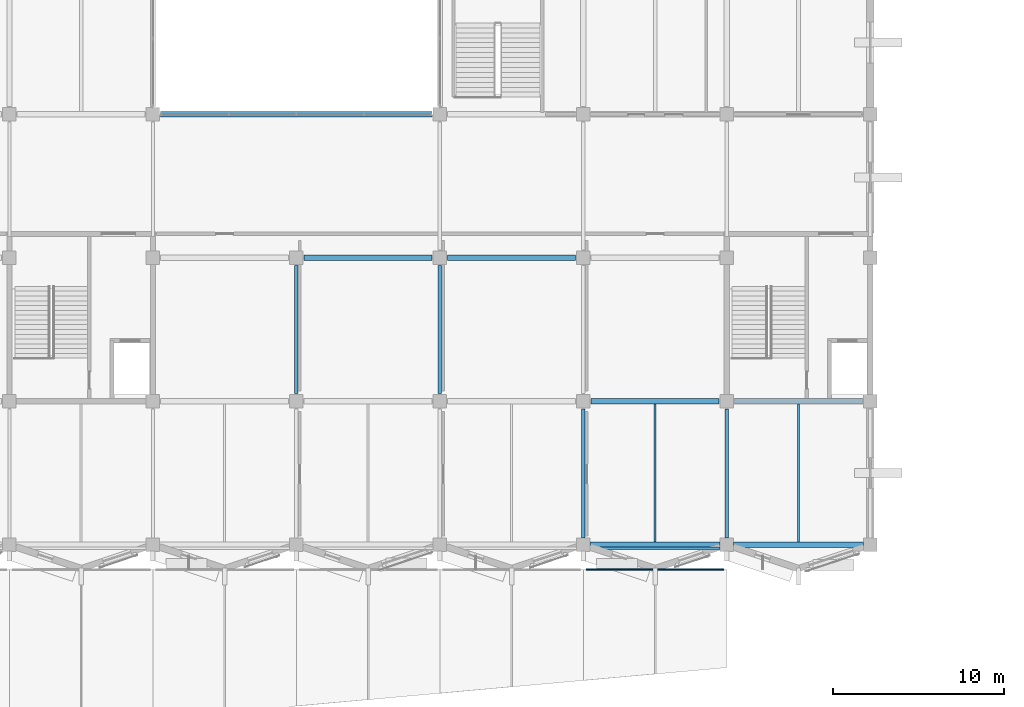
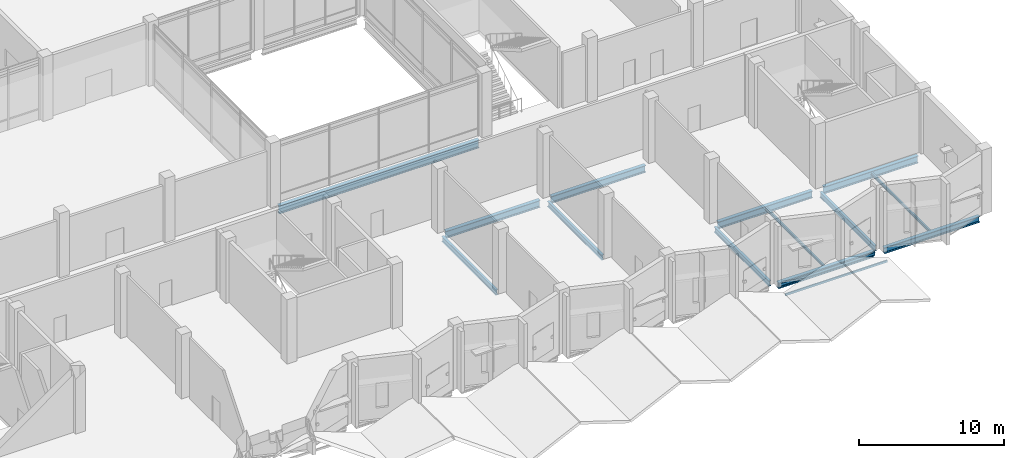
# One storey, part 21 of 72: 14 beams, 1 member.
"""IFC4 building model written with IfcOpenShell, lengths in metres."""

from ifc_helpers import new_model, si_unit, direction, frame, origin, origin_2d, place, context, subcontext, project, spatial, hollow_rectangle, i_section, extrude, material, material_profile, profile_set, type_object, element, save


model = new_model("IFC4")

# Units and contexts
model_context = context("Model", 3, precision=1e-05, world=origin(), true_north=direction((0.0, 1.0)))
body_context = subcontext(model_context, "Body", "Model", "MODEL_VIEW")
ifc_project = project(units=[si_unit("LENGTHUNIT", "METRE"), si_unit("AREAUNIT", "SQUARE_METRE"), si_unit("VOLUMEUNIT", "CUBIC_METRE"), si_unit("PLANEANGLEUNIT", "RADIAN"), si_unit("MASSUNIT", "GRAM", prefix="KILO")], contexts=[model_context])

# Site, building, storey
site_placement = place(None, origin())
site = spatial("IfcSite", under=ifc_project, at=site_placement, CompositionType="ELEMENT")
building_placement = place(site_placement, origin())
building = spatial("IfcBuilding", under=site, at=building_placement, Name="Qawsi Khor Wholesale Market", CompositionType="ELEMENT")
storey_placement = place(building_placement, frame((0.0, 0.0, 6.0)))
storey = spatial("IfcBuildingStorey", under=building, at=storey_placement, Name="L01", CompositionType="ELEMENT", Elevation=6.0)

# Beam
ifc_material = material(Name="Steel S355", Category="steel")
ifc_material_profile_1 = material_profile(ifc_material, i_section(OverallWidth=0.135009765625, OverallDepth=0.27001953125, WebThickness=0.006591796875, FlangeThickness=0.01025390625, FilletRadius=0.014892578125, at=origin_2d()), Name="IPE 270")
ifc_profile_set_1 = profile_set([ifc_material_profile_1], Name="Steel S355")
beam_type_1 = type_object("IfcBeamType", Name="Canopy Beam IPE 270", PredefinedType="BEAM", material=ifc_profile_set_1)
beam_1_placement = place(storey_placement, frame((176.800048828125, -0.199951171875, -0.419921875), z_axis=(1.0, 0.0, 0.0), x_axis=(0.0, 1.0, 0.0)))
element("IfcBeam", 1, at=beam_1_placement, inside=storey, type_object=beam_type_1, Name="Canopy tie beam 21", PredefinedType="BEAM", context=body_context, shape_type="SweptSolid", body=[
    extrude(i_section(OverallWidth=0.135009765625, OverallDepth=0.27001953125, WebThickness=0.006591796875, FlangeThickness=0.01025390625, FilletRadius=0.014892578125, at=origin_2d()), origin(), (0.0, 0.0, 1.0), 7.599853515625),
])

# Member
ifc_material_profile_2 = material_profile(ifc_material, hollow_rectangle(XDim=0.10009765625, YDim=0.179931640625, WallThickness=0.008056640625, InnerFilletRadius=0.008056640625, OuterFilletRadius=0.01611328125, at=origin_2d()), Name="RHS 180x100x8.0")
ifc_profile_set_2 = profile_set([ifc_material_profile_2], Name="Steel S355")
member_type = type_object("IfcMemberType", Name="Canopy Sub-Purlin RHS 180x100x8.0", PredefinedType="PURLIN", material=ifc_profile_set_2)
member_placement = place(storey_placement, frame((176.550048828125, -1.449951171875, -0.3798828125), z_axis=(1.0, 0.0, 0.0), x_axis=(0.0, 1.0, 0.0)))
element("IfcMember", 2, at=member_placement, inside=storey, type_object=member_type, Name="Canopy valley sub-purlin 21", PredefinedType="PURLIN", context=body_context, shape_type="SweptSolid", body=[
    extrude(hollow_rectangle(XDim=0.10009765625, YDim=0.179931640625, WallThickness=0.008056640625, InnerFilletRadius=0.008056640625, OuterFilletRadius=0.01611328125, at=origin_2d()), origin(), (0.0, 0.0, 1.0), 8.099853515625),
])

# Beams
ifc_material_profile_3 = material_profile(ifc_material, i_section(OverallWidth=0.1201171875, OverallDepth=0.239990234375, WebThickness=0.006103515625, FlangeThickness=0.009765625, FilletRadius=0.014892578125, at=origin_2d()), Name="IPE 240")
ifc_profile_set_3 = profile_set([ifc_material_profile_3], Name="Steel S355")
beam_type_2 = type_object("IfcBeamType", Name="Floor Joist IPE 240", PredefinedType="JOIST", material=ifc_profile_set_3)
for number, where, z_axis, x_axis, name in (
    (3, (180.60009765625, 0.14990234375, -0.39990234375), (0.0, 1.0, 0.0), (-1.0, 0.0, 0.0), "JST-S-L01-21"),
    (4, (189.0, 0.14990234375, -0.39990234375), (0.0, 1.0, 0.0), (-1.0, 0.0, 0.0), "JST-S-L01-22"),
):
    element("IfcBeam", number, at=place(storey_placement, frame(where, z_axis=z_axis, x_axis=x_axis)), inside=storey, type_object=beam_type_2, Name=name, PredefinedType="JOIST", context=body_context, shape_type="SweptSolid", body=[
        extrude(i_section(OverallWidth=0.1201171875, OverallDepth=0.239990234375, WebThickness=0.006103515625, FlangeThickness=0.009765625, FilletRadius=0.014892578125, at=origin_2d()), origin(), (0.0, 0.0, 1.0), 8.10009765625),
    ])
ifc_material_profile_4 = material_profile(ifc_material, i_section(OverallWidth=0.300048828125, OverallDepth=0.5, WebThickness=0.014404296875, FlangeThickness=0.028076171875, FilletRadius=0.027099609375, at=origin_2d()), Name="HEB 500")
ifc_profile_set_4 = profile_set([ifc_material_profile_4], Name="Steel S355")
beam_type_3 = type_object("IfcBeamType", Name="Heavy Edge Girder HEB 500", PredefinedType="BEAM", material=ifc_profile_set_4)
beam_2_placement = place(storey_placement, frame((176.800048828125, 0.0, -0.530029296875), z_axis=(1.0, 0.0, 0.0), x_axis=(0.0, 1.0, 0.0)))
element("IfcBeam", 5, at=beam_2_placement, inside=storey, type_object=beam_type_3, Name="BM-X-L01-21_+00", PredefinedType="BEAM", context=body_context, shape_type="SweptSolid", body=[
    extrude(i_section(OverallWidth=0.300048828125, OverallDepth=0.5, WebThickness=0.014404296875, FlangeThickness=0.028076171875, FilletRadius=0.027099609375, at=origin_2d()), origin(), (0.0, 0.0, 1.0), 7.599853515625),
])
beam_3_placement = place(storey_placement, frame((185.199951171875, 0.0, -0.530029296875), z_axis=(1.0, 0.0, 0.0), x_axis=(0.0, 1.0, 0.0)))
element("IfcBeam", 6, at=beam_3_placement, inside=storey, type_object=beam_type_3, Name="BM-X-L01-22_+00", PredefinedType="BEAM", context=body_context, shape_type="SweptSolid", body=[
    extrude(i_section(OverallWidth=0.300048828125, OverallDepth=0.5, WebThickness=0.014404296875, FlangeThickness=0.028076171875, FilletRadius=0.027099609375, at=origin_2d()), origin(), (0.0, 0.0, 1.0), 7.60009765625),
])
ifc_material_profile_5 = material_profile(ifc_material, i_section(OverallWidth=0.300048828125, OverallDepth=0.590087890625, WebThickness=0.012939453125, FlangeThickness=0.02490234375, FilletRadius=0.027099609375, at=origin_2d()), Name="HEA 600")
ifc_profile_set_5 = profile_set([ifc_material_profile_5], Name="Steel S355")
beam_type_4 = type_object("IfcBeamType", Name="Primary Girder HEA 600", PredefinedType="BEAM", material=ifc_profile_set_5)
for number, where, z_axis, x_axis, name in (
    (7, (160.050048828125, 16.800048828125, -0.574951171875), (1.0, 0.0, 0.0), (0.0, 1.0, 0.0), "BM-X-L01-19_+02"),
    (8, (168.449951171875, 16.800048828125, -0.574951171875), (1.0, 0.0, 0.0), (0.0, 1.0, 0.0), "BM-X-L01-20_+02"),
    (9, (176.85009765625, 8.39990234375, -0.574951171875), (1.0, 0.0, 0.0), (0.0, 1.0, 0.0), "BM-X-L01-21_+01"),
    (10, (185.25, 8.39990234375, -0.574951171875), (1.0, 0.0, 0.0), (0.0, 1.0, 0.0), "BM-X-L01-22_+01"),
):
    element("IfcBeam", number, at=place(storey_placement, frame(where, z_axis=z_axis, x_axis=x_axis)), inside=storey, type_object=beam_type_4, Name=name, PredefinedType="BEAM", context=body_context, shape_type="SweptSolid", body=[
        extrude(i_section(OverallWidth=0.300048828125, OverallDepth=0.590087890625, WebThickness=0.012939453125, FlangeThickness=0.02490234375, FilletRadius=0.027099609375, at=origin_2d()), origin(), (0.0, 0.0, 1.0), 7.5),
    ])
ifc_material_profile_6 = material_profile(ifc_material, i_section(OverallWidth=0.300048828125, OverallDepth=0.68994140625, WebThickness=0.014404296875, FlangeThickness=0.027099609375, FilletRadius=0.027099609375, at=origin_2d()), Name="HEA 700")
ifc_profile_set_6 = profile_set([ifc_material_profile_6], Name="Steel S355")
beam_type_5 = type_object("IfcBeamType", Name="Primary Girder HEA 700", PredefinedType="BEAM", material=ifc_profile_set_6)
beam_4_placement = place(storey_placement, frame((151.64990234375, 25.199951171875, -0.625), z_axis=(1.0, 0.0, 0.0), x_axis=(0.0, 1.0, 0.0)))
element("IfcBeam", 11, at=beam_4_placement, inside=storey, type_object=beam_type_5, Name="BM-XL-L01-18_+03", PredefinedType="BEAM", context=body_context, shape_type="SweptSolid", body=[
    extrude(i_section(OverallWidth=0.300048828125, OverallDepth=0.68994140625, WebThickness=0.014404296875, FlangeThickness=0.027099609375, FilletRadius=0.027099609375, at=origin_2d()), origin(), (0.0, 0.0, 1.0), 15.900146484375),
])
ifc_material_profile_7 = material_profile(ifc_material, i_section(OverallWidth=0.18994140625, OverallDepth=0.449951171875, WebThickness=0.009521484375, FlangeThickness=0.0146484375, FilletRadius=0.02099609375, at=origin_2d()), Name="IPE 450")
ifc_profile_set_7 = profile_set([ifc_material_profile_7], Name="Steel S355")
beam_type_6 = type_object("IfcBeamType", Name="Secondary Beam IPE 450", PredefinedType="BEAM", material=ifc_profile_set_7)
for number, where, z_axis, x_axis, name in (
    (12, (159.60009765625, 8.85009765625, -0.5048828125), (0.0, 1.0, 0.0), (-1.0, 0.0, 0.0), "BM-Y-L01-19_+01"),
    (13, (168.0, 8.85009765625, -0.5048828125), (0.0, 1.0, 0.0), (-1.0, 0.0, 0.0), "BM-Y-L01-20_+01"),
):
    element("IfcBeam", number, at=place(storey_placement, frame(where, z_axis=z_axis, x_axis=x_axis)), inside=storey, type_object=beam_type_6, Name=name, PredefinedType="BEAM", context=body_context, shape_type="SweptSolid", body=[
        extrude(i_section(OverallWidth=0.18994140625, OverallDepth=0.449951171875, WebThickness=0.009521484375, FlangeThickness=0.0146484375, FilletRadius=0.02099609375, at=origin_2d()), origin(), (0.0, 0.0, 1.0), 7.5),
    ])
for number, where, z_axis, x_axis, name in (
    (14, (176.39990234375, 0.39990234375, -0.5048828125), (0.0, 1.0, 0.0), (-1.0, 0.0, 0.0), "BM-Y-L01-21_+00"),
    (15, (184.800048828125, 0.39990234375, -0.5048828125), (0.0, 1.0, 0.0), (-1.0, 0.0, 0.0), "BM-Y-L01-22_+00"),
):
    element("IfcBeam", number, at=place(storey_placement, frame(where, z_axis=z_axis, x_axis=x_axis)), inside=storey, type_object=beam_type_6, Name=name, PredefinedType="BEAM", context=body_context, shape_type="SweptSolid", body=[
        extrude(i_section(OverallWidth=0.18994140625, OverallDepth=0.449951171875, WebThickness=0.009521484375, FlangeThickness=0.0146484375, FilletRadius=0.02099609375, at=origin_2d()), origin(), (0.0, 0.0, 1.0), 7.550048828125),
    ])

save(model, "model.ifc")
